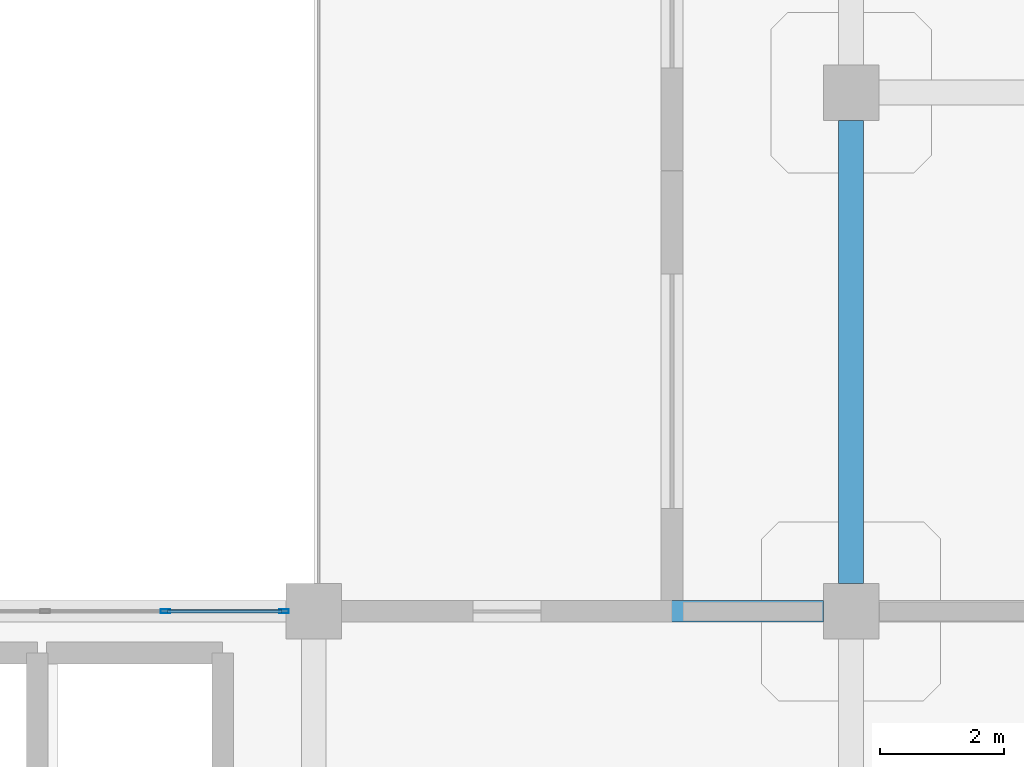
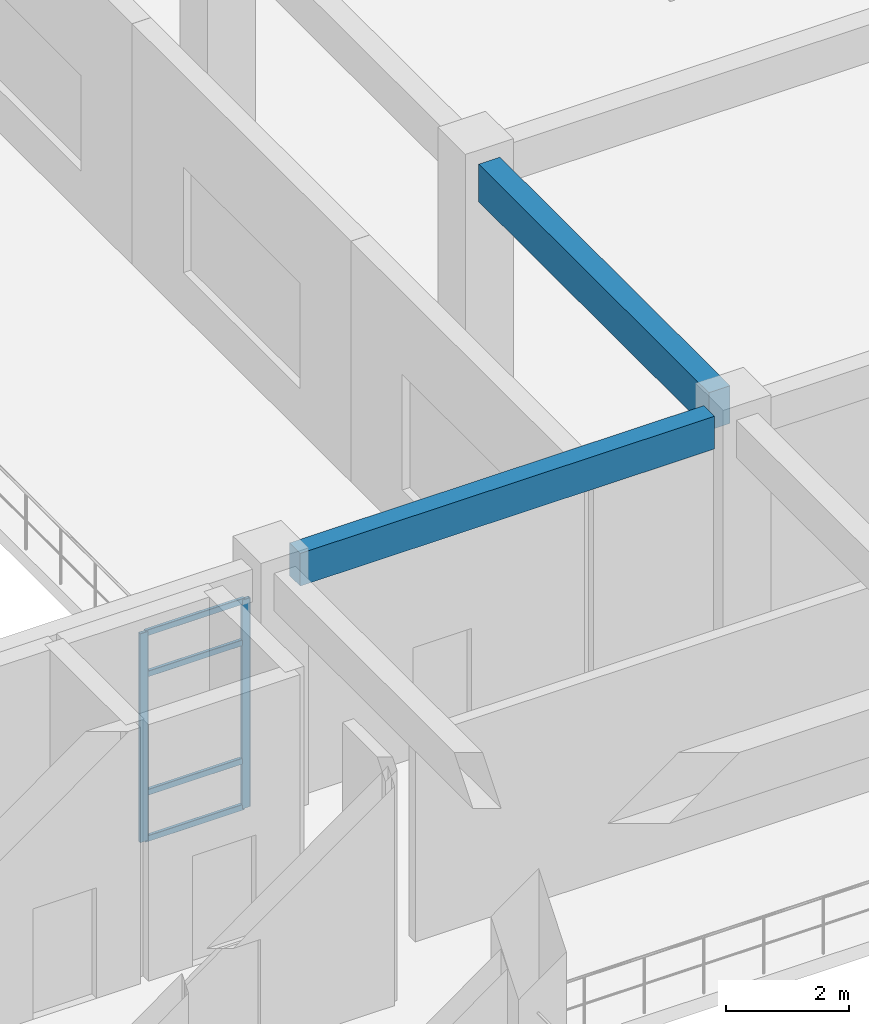
# One storey, part 49 of 120: 6 members, 2 beams, 1 element without a shape of its own.
"""IFC4 building model written with IfcOpenShell, lengths in metres."""

from ifc_helpers import new_model, si_unit, derived_unit, direction, frame, origin, origin_2d, place, context, subcontext, project, spatial, rectangle, hollow_rectangle, extrude, material, layer, layer_set, material_profile, profile_set, type_object, element, aggregate, save


model = new_model("IFC4")

# Units and contexts
model_context = context("Model", 3, precision=1e-05, world=origin(), true_north=direction((0.0, 1.0)))
body_context = subcontext(model_context, "Body", "Model", "MODEL_VIEW")
ifc_project = project(units=[si_unit("LENGTHUNIT", "METRE"), si_unit("AREAUNIT", "SQUARE_METRE"), si_unit("VOLUMEUNIT", "CUBIC_METRE"), si_unit("PLANEANGLEUNIT", "RADIAN"), si_unit("MASSUNIT", "GRAM", prefix="KILO"), derived_unit("THERMALTRANSMITTANCEUNIT", [(si_unit("MASSUNIT", "GRAM", prefix="KILO"), 1), (si_unit("TIMEUNIT", "SECOND"), -3), (si_unit("THERMODYNAMICTEMPERATUREUNIT", "KELVIN"), -1)])], contexts=[model_context])

# Site, building, storey
site_placement = place(None, origin())
site = spatial("IfcSite", under=ifc_project, at=site_placement, CompositionType="ELEMENT")
building_placement = place(site_placement, origin())
building = spatial("IfcBuilding", under=site, at=building_placement, Name="Qinzheling Arcade Emporium", CompositionType="ELEMENT")
storey_placement = place(building_placement, frame((0.0, 0.0, 11.39990234375)))
storey = spatial("IfcBuildingStorey", under=building, at=storey_placement, Name="L03", CompositionType="ELEMENT", Elevation=11.39990234375)

# Curtain wall, members
ifc_material_1 = material(Name="Anodised aluminium and solar-control double glazing", Category="aluminium")
ifc_layer = layer(ifc_material_1, 0.159912109375, Name="Anodised aluminium and solar-control double glazing", Category="aluminium")
ifc_layer_set = layer_set([ifc_layer], Name="Anodised aluminium and solar-control double glazing")
curtain_wall_type = type_object("IfcCurtainWallType", Name="Atrium Clerestory Curtain Wall", PredefinedType="NOTDEFINED", material=ifc_layer_set)
curtain_wall_placement = place(storey_placement, origin())
curtain_wall = element("IfcCurtainWall", 1, at=curtain_wall_placement, inside=storey, type_object=curtain_wall_type, Name="Curtain Wall CW-L03-174", PredefinedType="NOTDEFINED")
ifc_material_2 = material(Name="Anodised aluminium 6063-T6", Category="aluminium")
ifc_material_profile_1 = material_profile(ifc_material_2, hollow_rectangle(XDim=0.06005859375, YDim=0.159912109375, WallThickness=0.00390625, InnerFilletRadius=0.00390625, OuterFilletRadius=0.008056640625, at=origin_2d()), Name="RHS 160x60x4", Category="aluminium")
ifc_profile_set_1 = profile_set([ifc_material_profile_1], Name="Anodised aluminium 6063-T6")
member_type_1 = type_object("IfcMemberType", Name="Curtain Wall Mullion RHS160x60", PredefinedType="MULLION", material=ifc_profile_set_1)
member_1_placement = place(storey_placement, frame((49.799072265625, 73.800048828125, 0.0), z_axis=(0.0, 0.0, 1.0), x_axis=(0.0, 1.0, 0.0)))
member_1 = element("IfcMember", 2, at=member_1_placement, type_object=member_type_1, Name="CW03 mullion 4", PredefinedType="MULLION", context=body_context, shape_type="SweptSolid", body=[
    extrude(hollow_rectangle(XDim=0.06005859375, YDim=0.159912109375, WallThickness=0.00390625, InnerFilletRadius=0.00390625, OuterFilletRadius=0.008056640625, at=origin_2d()), origin(), (0.0, 0.0, 1.0), 4.155029296875),
])
member_2_placement = place(storey_placement, frame((51.718017578125, 73.800048828125, 0.0), z_axis=(0.0, 0.0, 1.0), x_axis=(0.0, 1.0, 0.0)))
member_2 = element("IfcMember", 3, at=member_2_placement, type_object=member_type_1, Name="CW03 mullion 5", PredefinedType="MULLION", context=body_context, shape_type="SweptSolid", body=[
    extrude(hollow_rectangle(XDim=0.06005859375, YDim=0.159912109375, WallThickness=0.00390625, InnerFilletRadius=0.00390625, OuterFilletRadius=0.008056640625, at=origin_2d()), origin(), (0.0, 0.0, 1.0), 4.155029296875),
])
ifc_material_profile_2 = material_profile(ifc_material_2, hollow_rectangle(XDim=0.06005859375, YDim=0.1201171875, WallThickness=0.00390625, InnerFilletRadius=0.00390625, OuterFilletRadius=0.008056640625, at=origin_2d()), Name="RHS 120x60x4", Category="aluminium")
ifc_profile_set_2 = profile_set([ifc_material_profile_2], Name="Anodised aluminium 6063-T6")
member_type_2 = type_object("IfcMemberType", Name="Curtain Wall Transom RHS120x60", PredefinedType="USERDEFINED", material=ifc_profile_set_2)
member_3_placement = place(storey_placement, frame((49.8291015625, 73.800048828125, 0.030029296875), z_axis=(1.0, 0.0, 0.0), x_axis=(0.0, 1.0, 0.0)))
member_3 = element("IfcMember", 4, at=member_3_placement, type_object=member_type_2, Name="CW03 transom 4.1", ObjectType="TRANSOM", PredefinedType="USERDEFINED", context=body_context, shape_type="SweptSolid", body=[
    extrude(hollow_rectangle(XDim=0.06005859375, YDim=0.1201171875, WallThickness=0.00390625, InnerFilletRadius=0.00390625, OuterFilletRadius=0.008056640625, at=origin_2d()), origin(), (0.0, 0.0, 1.0), 1.85888671875),
])
member_4_placement = place(storey_placement, frame((49.8291015625, 73.800048828125, 0.9501953125), z_axis=(1.0, 0.0, 0.0), x_axis=(0.0, 1.0, 0.0)))
member_4 = element("IfcMember", 5, at=member_4_placement, type_object=member_type_2, Name="CW03 transom 4.2", ObjectType="TRANSOM", PredefinedType="USERDEFINED", context=body_context, shape_type="SweptSolid", body=[
    extrude(hollow_rectangle(XDim=0.06005859375, YDim=0.1201171875, WallThickness=0.00390625, InnerFilletRadius=0.00390625, OuterFilletRadius=0.008056640625, at=origin_2d()), origin(), (0.0, 0.0, 1.0), 1.85888671875),
])
member_5_placement = place(storey_placement, frame((49.8291015625, 73.800048828125, 3.30517578125), z_axis=(1.0, 0.0, 0.0), x_axis=(0.0, 1.0, 0.0)))
member_5 = element("IfcMember", 6, at=member_5_placement, type_object=member_type_2, Name="CW03 transom 4.3", ObjectType="TRANSOM", PredefinedType="USERDEFINED", context=body_context, shape_type="SweptSolid", body=[
    extrude(hollow_rectangle(XDim=0.06005859375, YDim=0.1201171875, WallThickness=0.00390625, InnerFilletRadius=0.00390625, OuterFilletRadius=0.008056640625, at=origin_2d()), origin(), (0.0, 0.0, 1.0), 1.85888671875),
])
member_6_placement = place(storey_placement, frame((49.8291015625, 73.800048828125, 4.125), z_axis=(1.0, 0.0, 0.0), x_axis=(0.0, 1.0, 0.0)))
member_6 = element("IfcMember", 7, at=member_6_placement, type_object=member_type_2, Name="CW03 transom 4.4", ObjectType="TRANSOM", PredefinedType="USERDEFINED", context=body_context, shape_type="SweptSolid", body=[
    extrude(hollow_rectangle(XDim=0.06005859375, YDim=0.1201171875, WallThickness=0.00390625, InnerFilletRadius=0.00390625, OuterFilletRadius=0.008056640625, at=origin_2d()), origin(), (0.0, 0.0, 1.0), 1.85888671875),
])
aggregate(curtain_wall, [member_1, member_2, member_3, member_4, member_5, member_6])

# Beams
ifc_material_3 = material(Name="Concrete C40", Category="concrete")
ifc_material_profile_3 = material_profile(ifc_material_3, rectangle(XDim=0.39990234375, YDim=0.75, at=origin_2d()), Name="RC 400x750", Category="concrete")
ifc_profile_set_3 = profile_set([ifc_material_profile_3], Name="Concrete C40")
beam_type_1 = type_object("IfcBeamType", Name="RC Interior Tie Beam 400x750 C40", PredefinedType="BEAM", material=ifc_profile_set_3)
beam_1_placement = place(storey_placement, frame((60.89990234375, 74.25, 4.445068359375), z_axis=(0.0, 1.0, 0.0), x_axis=(-1.0, 0.0, 0.0)))
element("IfcBeam", 8, at=beam_1_placement, inside=storey, type_object=beam_type_1, Name="Beam BM-L03-Y-8-J", PredefinedType="BEAM", context=body_context, shape_type="SweptSolid", body=[
    extrude(rectangle(XDim=0.39990234375, YDim=0.75, at=origin_2d()), origin(), (0.0, 0.0, 1.0), 7.5),
])
ifc_material_profile_4 = material_profile(ifc_material_3, rectangle(XDim=0.35009765625, YDim=0.64990234375, at=origin_2d()), Name="RC 350x650", Category="concrete")
ifc_profile_set_4 = profile_set([ifc_material_profile_4], Name="Concrete C40")
beam_type_2 = type_object("IfcBeamType", Name="RC Spandrel Edge Beam 350x650 C40", PredefinedType="SPANDREL", material=ifc_profile_set_4)
beam_2_placement = place(storey_placement, frame((52.64990234375, 73.800048828125, 4.4951171875), z_axis=(1.0, 0.0, 0.0), x_axis=(0.0, 1.0, 0.0)))
element("IfcBeam", 9, at=beam_2_placement, inside=storey, type_object=beam_type_2, Name="Beam BM-L03-X-J-7", PredefinedType="SPANDREL", context=body_context, shape_type="SweptSolid", body=[
    extrude(rectangle(XDim=0.35009765625, YDim=0.64990234375, at=origin_2d()), origin(), (0.0, 0.0, 1.0), 7.800048828125),
])

save(model, "model.ifc")
